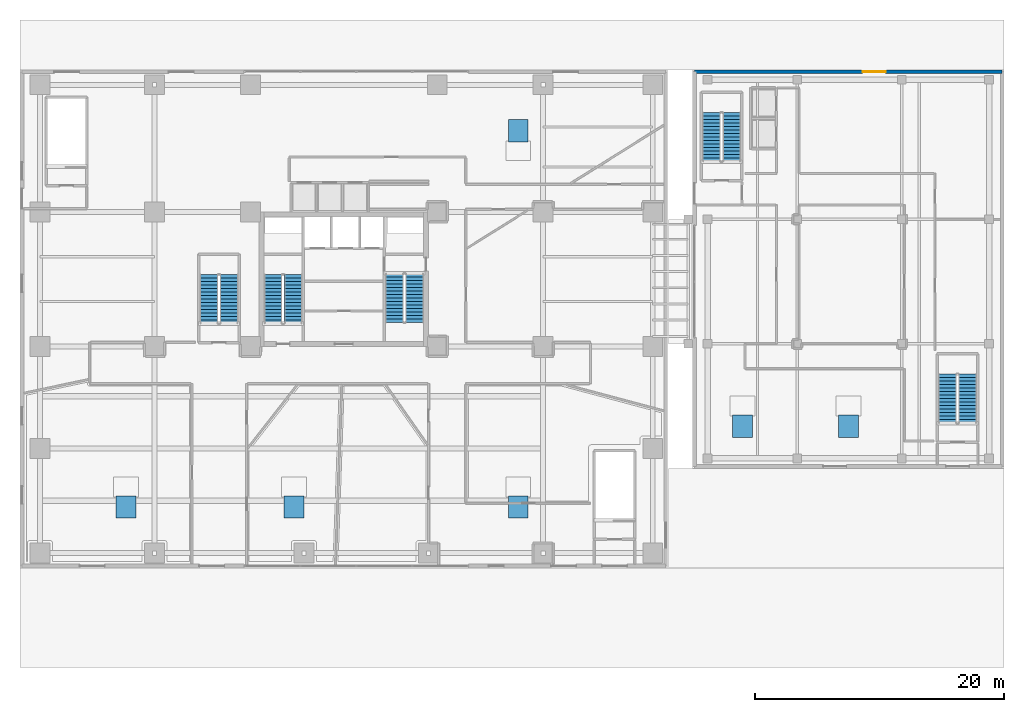
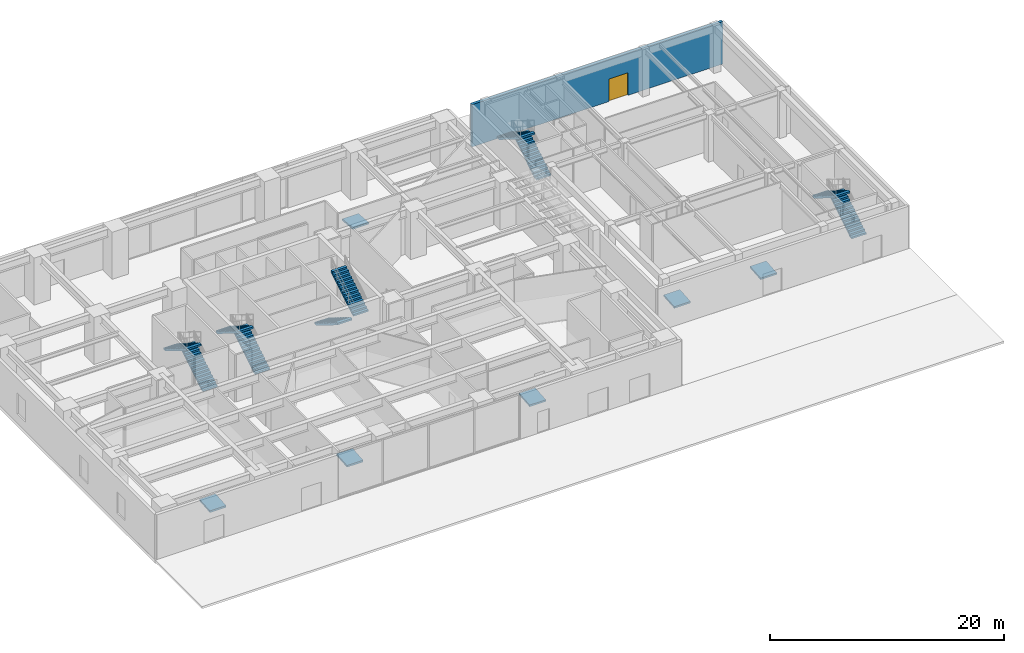
# One storey, part 23 of 28: 10 stair flights, 6 ramp flights, 1 door, 1 wall, 1 opening, 11 elements without a shape of their own.
"""IFC4 building model written with IfcOpenShell, lengths in metres."""

from ifc_helpers import new_model, si_unit, direction, frame, frame_2d, origin, place, context, subcontext, project, spatial, polyline, rectangle, outline, extrude, source, transform, mapped, material, layer, layer_set, type_object, type_shapes, element, fill, aggregate, save


model = new_model("IFC4")

# Units and contexts
model_context = context("Model", 3, precision=1e-05, world=origin(), true_north=direction((0.0, 1.0)))
body_context = subcontext(model_context, "Body", "Model", "MODEL_VIEW")
ifc_project = project(units=[si_unit("LENGTHUNIT", "METRE"), si_unit("AREAUNIT", "SQUARE_METRE"), si_unit("VOLUMEUNIT", "CUBIC_METRE"), si_unit("PLANEANGLEUNIT", "RADIAN"), si_unit("MASSUNIT", "GRAM", prefix="KILO")], contexts=[model_context])

# Site, building, storey
site_placement = place(None, origin())
site = spatial("IfcSite", under=ifc_project, at=site_placement, CompositionType="ELEMENT")
building_placement = place(site_placement, origin())
building = spatial("IfcBuilding", under=site, at=building_placement, Name="Talar Marvaseh", CompositionType="ELEMENT")
storey_placement = place(building_placement, origin())
storey = spatial("IfcBuildingStorey", under=building, at=storey_placement, Name="L00", CompositionType="ELEMENT", Elevation=0.0)

# Wall, opening, door
ifc_material_1 = material(Name="Precast concrete C45/55", Category="concrete")
ifc_layer_1 = layer(ifc_material_1, 0.2900390625)
ifc_layer_set_1 = layer_set([ifc_layer_1], Name="Precast concrete C45/55")
wall_type = type_object("IfcWallType", Name="Market Hall Precast Limestone Bazaar Wall 290", PredefinedType="SOLIDWALL", material=ifc_layer_set_1)
wall_placement = place(storey_placement, frame((54.14990234375, 47.85009765625, 0.0), z_axis=(0.0, 0.0, 1.0), x_axis=(1.0, 0.0, 0.0)))
wall = element("IfcWall", 1, at=wall_placement, inside=storey, type_object=wall_type, Name="L00 Market Hall North Promenade Wall", PredefinedType="SOLIDWALL", context=body_context, shape_type="SweptSolid", body=[
    extrude(rectangle(XDim=24.7001953125, YDim=0.2900390625, at=frame_2d((12.35009765625, 0.0))), origin(), (0.0, 0.0, 1.0), 4.39990234375),
])
opening_placement = place(wall_placement, frame((13.5, 0.0, 0.0)))
opening = element("IfcOpeningElement", 2, at=opening_placement, cuts=wall, Name="Opening DR-EXT18", PredefinedType="OPENING", context=body_context, shape_type="SweptSolid", body=[
    extrude(rectangle(XDim=1.85009765625, YDim=2.35009765625, at=frame_2d((0.925048828125, 1.175048828125))), frame((0.0, 0.155029296875, 0.0), z_axis=(0.0, -1.0, 0.0), x_axis=(1.0, 0.0, 0.0)), (0.0, 0.0, 1.0), 0.31005859375),
])
ifc_material_2 = material(Name="Architectural Aluminium", Category="aluminium")
door_type = type_object("IfcDoorType", Name="Market Plaza Double Bazaar Entrance Door 1850x2350", OperationType="NOTDEFINED", PredefinedType="DOOR", material=ifc_material_2)
shared_shape = source(origin(), body_context, "Body", "SweptSolid", [
    extrude(rectangle(XDim=1.85009765625, YDim=2.35009765625, at=frame_2d((0.925048828125, 1.175048828125))), frame((0.0, 0.02490234375, 0.0), z_axis=(0.0, -1.0, 0.0), x_axis=(1.0, 0.0, 0.0)), (0.0, 0.0, 1.0), 0.050048828125),
])
type_shapes(door_type, [shared_shape])
door_placement = place(opening_placement, origin())
door = element("IfcDoor", 3, at=door_placement, inside=storey, type_object=door_type, Name="L00 Market North Promenade Entrance", OperationType="DOUBLE_DOOR_SINGLE_SWING", OverallHeight=2.35009765625, OverallWidth=1.85009765625, PredefinedType="DOOR", context=body_context, shape_type="MappedRepresentation", body=[
    mapped(shared_shape, transform((0.0, 0.0, 0.0), x_axis=(1.0, 0.0, 0.0), y_axis=(0.0, 1.0, 0.0), z_axis=(0.0, 0.0, 1.0), scale=1.0)),
])
fill(opening, door)

# Stair, stair flights
ifc_material_3 = material(Name="Concrete C40/50", Category="concrete")
stair_type = type_object("IfcStairType", Name="Reinforced Concrete Half-Turn Exit Stair Type A", PredefinedType="HALF_TURN_STAIR", material=ifc_material_3)
stair_1_placement = place(storey_placement, origin())
stair_1 = element("IfcStair", 4, at=stair_1_placement, inside=storey, type_object=stair_type, Name="L00 Tower West Core Exit Stair", PredefinedType="HALF_TURN_STAIR")
ifc_layer_2 = layer(ifc_material_3, 0.18505859375)
ifc_layer_set_2 = layer_set([ifc_layer_2], Name="Concrete C40/50")
stair_flight_type = type_object("IfcStairFlightType", Name="Reinforced Concrete Heavy Podium Stair Flight 185", PredefinedType="STRAIGHT", material=ifc_layer_set_2)
stair_flight_1_placement = place(storey_placement, frame((21.93505859375, 27.64990234375, 0.0), z_axis=(0.0, 0.0, 1.0), x_axis=(0.0, 1.0, 0.0)))
stair_flight_1 = element("IfcStairFlight", 5, at=stair_flight_1_placement, type_object=stair_flight_type, Name="ST-1 flight 1", NumberOfRisers=15, NumberOfTreads=14, PredefinedType="STRAIGHT", RiserHeight=0.173333333, TreadLength=0.28, context=body_context, shape_type="SweptSolid", body=[
    extrude(outline(polyline([(0.0, 0.0), (0.0, 0.17333984375), (0.280029296875, 0.17333984375), (0.280029296875, 0.3466796875), (0.56005859375, 0.3466796875), (0.56005859375, 0.52001953125), (0.840087890625, 0.52001953125), (0.840087890625, 0.693359375), (1.1201171875, 0.693359375), (1.1201171875, 0.86669921875), (1.39990234375, 0.86669921875), (1.39990234375, 1.0400390625), (1.679931640625, 1.0400390625), (1.679931640625, 1.21337890625), (1.9599609375, 1.21337890625), (1.9599609375, 1.38671875), (2.239990234375, 1.38671875), (2.239990234375, 1.56005859375), (2.52001953125, 1.56005859375), (2.52001953125, 1.7333984375), (2.800048828125, 1.7333984375), (2.800048828125, 1.90673828125), (3.080078125, 1.90673828125), (3.080078125, 2.080078125), (3.360107421875, 2.080078125), (3.360107421875, 2.25341796875), (3.639892578125, 2.25341796875), (3.639892578125, 2.4267578125), (3.919921875, 2.4267578125), (3.919921875, 2.60009765625), (3.919921875, 2.238525390625), (0.3037109375, 0.0), (0.0, 0.0)])), frame((0.0, 0.72509765625, 0.0), z_axis=(0.0, -1.0, 0.0), x_axis=(1.0, 0.0, 0.0)), (0.0, 0.0, 1.0), 1.449951171875),
])
stair_flight_2_placement = place(storey_placement, frame((20.324951171875, 31.570068359375, 2.60009765625), z_axis=(0.0, 0.0, 1.0), x_axis=(0.0, -1.0, 0.0)))
stair_flight_2 = element("IfcStairFlight", 6, at=stair_flight_2_placement, type_object=stair_flight_type, Name="ST-1 flight 2", NumberOfRisers=15, NumberOfTreads=14, PredefinedType="STRAIGHT", RiserHeight=0.173333333, TreadLength=0.28, context=body_context, shape_type="SweptSolid", body=[
    extrude(outline(polyline([(0.0, 0.0), (0.0, 0.17333984375), (0.280029296875, 0.17333984375), (0.280029296875, 0.3466796875), (0.56005859375, 0.3466796875), (0.56005859375, 0.52001953125), (0.840087890625, 0.52001953125), (0.840087890625, 0.693359375), (1.1201171875, 0.693359375), (1.1201171875, 0.86669921875), (1.39990234375, 0.86669921875), (1.39990234375, 1.0400390625), (1.679931640625, 1.0400390625), (1.679931640625, 1.21337890625), (1.9599609375, 1.21337890625), (1.9599609375, 1.38671875), (2.239990234375, 1.38671875), (2.239990234375, 1.56005859375), (2.52001953125, 1.56005859375), (2.52001953125, 1.7333984375), (2.800048828125, 1.7333984375), (2.800048828125, 1.90673828125), (3.080078125, 1.90673828125), (3.080078125, 2.080078125), (3.360107421875, 2.080078125), (3.360107421875, 2.25341796875), (3.639892578125, 2.25341796875), (3.639892578125, 2.4267578125), (3.919921875, 2.4267578125), (3.919921875, 2.60009765625), (3.919921875, 2.238525390625), (0.3037109375, 0.0), (0.0, 0.0)])), frame((0.0, 0.72509765625, 0.0), z_axis=(0.0, -1.0, 0.0), x_axis=(1.0, 0.0, 0.0)), (0.0, 0.0, 1.0), 1.449951171875),
])
aggregate(stair_1, [stair_flight_1, stair_flight_2])

stair_2_placement = place(storey_placement, origin())
stair_2 = element("IfcStair", 7, at=stair_2_placement, inside=storey, type_object=stair_type, Name="L00 Tower East Core Exit Stair", PredefinedType="HALF_TURN_STAIR")
stair_flight_3_placement = place(storey_placement, frame((30.06494140625, 31.64990234375, 0.0), z_axis=(0.0, 0.0, 1.0), x_axis=(0.0, -1.0, 0.0)))
stair_flight_3 = element("IfcStairFlight", 8, at=stair_flight_3_placement, type_object=stair_flight_type, Name="ST-2 flight 1", NumberOfRisers=15, NumberOfTreads=14, PredefinedType="STRAIGHT", RiserHeight=0.173333333, TreadLength=0.28, context=body_context, shape_type="SweptSolid", body=[
    extrude(outline(polyline([(0.0, 0.0), (0.0, 0.17333984375), (0.280029296875, 0.17333984375), (0.280029296875, 0.3466796875), (0.56005859375, 0.3466796875), (0.56005859375, 0.52001953125), (0.840087890625, 0.52001953125), (0.840087890625, 0.693359375), (1.1201171875, 0.693359375), (1.1201171875, 0.86669921875), (1.39990234375, 0.86669921875), (1.39990234375, 1.0400390625), (1.679931640625, 1.0400390625), (1.679931640625, 1.21337890625), (1.9599609375, 1.21337890625), (1.9599609375, 1.38671875), (2.239990234375, 1.38671875), (2.239990234375, 1.56005859375), (2.52001953125, 1.56005859375), (2.52001953125, 1.7333984375), (2.800048828125, 1.7333984375), (2.800048828125, 1.90673828125), (3.080078125, 1.90673828125), (3.080078125, 2.080078125), (3.360107421875, 2.080078125), (3.360107421875, 2.25341796875), (3.639892578125, 2.25341796875), (3.639892578125, 2.4267578125), (3.919921875, 2.4267578125), (3.919921875, 2.60009765625), (3.919921875, 2.238525390625), (0.3037109375, 0.0), (0.0, 0.0)])), frame((0.0, 0.72509765625, 0.0), z_axis=(0.0, -1.0, 0.0), x_axis=(1.0, 0.0, 0.0)), (0.0, 0.0, 1.0), 1.449951171875),
])
stair_flight_4_placement = place(storey_placement, frame((31.675048828125, 27.72998046875, 2.60009765625), z_axis=(0.0, 0.0, 1.0), x_axis=(0.0, 1.0, 0.0)))
stair_flight_4 = element("IfcStairFlight", 9, at=stair_flight_4_placement, type_object=stair_flight_type, Name="ST-2 flight 2", NumberOfRisers=15, NumberOfTreads=14, PredefinedType="STRAIGHT", RiserHeight=0.173333333, TreadLength=0.28, context=body_context, shape_type="SweptSolid", body=[
    extrude(outline(polyline([(0.0, 0.0), (0.0, 0.17333984375), (0.280029296875, 0.17333984375), (0.280029296875, 0.3466796875), (0.56005859375, 0.3466796875), (0.56005859375, 0.52001953125), (0.840087890625, 0.52001953125), (0.840087890625, 0.693359375), (1.1201171875, 0.693359375), (1.1201171875, 0.86669921875), (1.39990234375, 0.86669921875), (1.39990234375, 1.0400390625), (1.679931640625, 1.0400390625), (1.679931640625, 1.21337890625), (1.9599609375, 1.21337890625), (1.9599609375, 1.38671875), (2.239990234375, 1.38671875), (2.239990234375, 1.56005859375), (2.52001953125, 1.56005859375), (2.52001953125, 1.7333984375), (2.800048828125, 1.7333984375), (2.800048828125, 1.90673828125), (3.080078125, 1.90673828125), (3.080078125, 2.080078125), (3.360107421875, 2.080078125), (3.360107421875, 2.25341796875), (3.639892578125, 2.25341796875), (3.639892578125, 2.4267578125), (3.919921875, 2.4267578125), (3.919921875, 2.60009765625), (3.919921875, 2.238525390625), (0.3037109375, 0.0), (0.0, 0.0)])), frame((0.0, 0.72509765625, 0.0), z_axis=(0.0, -1.0, 0.0), x_axis=(1.0, 0.0, 0.0)), (0.0, 0.0, 1.0), 1.449951171875),
])
aggregate(stair_2, [stair_flight_3, stair_flight_4])

stair_3_placement = place(storey_placement, origin())
stair_3 = element("IfcStair", 10, at=stair_3_placement, inside=storey, type_object=stair_type, Name="L00 Museum & Podium Auxiliary Exit Stair", PredefinedType="HALF_TURN_STAIR")
stair_flight_5_placement = place(storey_placement, frame((16.77490234375, 27.64990234375, 0.0), z_axis=(0.0, 0.0, 1.0), x_axis=(0.0, 1.0, 0.0)))
stair_flight_5 = element("IfcStairFlight", 11, at=stair_flight_5_placement, type_object=stair_flight_type, Name="ST-3 flight 1", NumberOfRisers=15, NumberOfTreads=14, PredefinedType="STRAIGHT", RiserHeight=0.173333333, TreadLength=0.28, context=body_context, shape_type="SweptSolid", body=[
    extrude(outline(polyline([(0.0, 0.0), (0.0, 0.17333984375), (0.280029296875, 0.17333984375), (0.280029296875, 0.3466796875), (0.56005859375, 0.3466796875), (0.56005859375, 0.52001953125), (0.840087890625, 0.52001953125), (0.840087890625, 0.693359375), (1.1201171875, 0.693359375), (1.1201171875, 0.86669921875), (1.39990234375, 0.86669921875), (1.39990234375, 1.0400390625), (1.679931640625, 1.0400390625), (1.679931640625, 1.21337890625), (1.9599609375, 1.21337890625), (1.9599609375, 1.38671875), (2.239990234375, 1.38671875), (2.239990234375, 1.56005859375), (2.52001953125, 1.56005859375), (2.52001953125, 1.7333984375), (2.800048828125, 1.7333984375), (2.800048828125, 1.90673828125), (3.080078125, 1.90673828125), (3.080078125, 2.080078125), (3.360107421875, 2.080078125), (3.360107421875, 2.25341796875), (3.639892578125, 2.25341796875), (3.639892578125, 2.4267578125), (3.919921875, 2.4267578125), (3.919921875, 2.60009765625), (3.919921875, 2.238525390625), (0.3037109375, 0.0), (0.0, 0.0)])), frame((0.0, 0.72509765625, 0.0), z_axis=(0.0, -1.0, 0.0), x_axis=(1.0, 0.0, 0.0)), (0.0, 0.0, 1.0), 1.449951171875),
])
stair_flight_6_placement = place(storey_placement, frame((15.1650390625, 31.570068359375, 2.60009765625), z_axis=(0.0, 0.0, 1.0), x_axis=(0.0, -1.0, 0.0)))
stair_flight_6 = element("IfcStairFlight", 12, at=stair_flight_6_placement, type_object=stair_flight_type, Name="ST-3 flight 2", NumberOfRisers=15, NumberOfTreads=14, PredefinedType="STRAIGHT", RiserHeight=0.173333333, TreadLength=0.28, context=body_context, shape_type="SweptSolid", body=[
    extrude(outline(polyline([(0.0, 0.0), (0.0, 0.17333984375), (0.280029296875, 0.17333984375), (0.280029296875, 0.3466796875), (0.56005859375, 0.3466796875), (0.56005859375, 0.52001953125), (0.840087890625, 0.52001953125), (0.840087890625, 0.693359375), (1.1201171875, 0.693359375), (1.1201171875, 0.86669921875), (1.39990234375, 0.86669921875), (1.39990234375, 1.0400390625), (1.679931640625, 1.0400390625), (1.679931640625, 1.21337890625), (1.9599609375, 1.21337890625), (1.9599609375, 1.38671875), (2.239990234375, 1.38671875), (2.239990234375, 1.56005859375), (2.52001953125, 1.56005859375), (2.52001953125, 1.7333984375), (2.800048828125, 1.7333984375), (2.800048828125, 1.90673828125), (3.080078125, 1.90673828125), (3.080078125, 2.080078125), (3.360107421875, 2.080078125), (3.360107421875, 2.25341796875), (3.639892578125, 2.25341796875), (3.639892578125, 2.4267578125), (3.919921875, 2.4267578125), (3.919921875, 2.60009765625), (3.919921875, 2.238525390625), (0.3037109375, 0.0), (0.0, 0.0)])), frame((0.0, 0.72509765625, 0.0), z_axis=(0.0, -1.0, 0.0), x_axis=(1.0, 0.0, 0.0)), (0.0, 0.0, 1.0), 1.449951171875),
])
aggregate(stair_3, [stair_flight_5, stair_flight_6])

stair_4_placement = place(storey_placement, origin())
stair_4 = element("IfcStair", 13, at=stair_4_placement, inside=storey, type_object=stair_type, Name="L00 Market Hall North-West Exit Stair", PredefinedType="HALF_TURN_STAIR")
stair_flight_7_placement = place(storey_placement, frame((57.135009765625, 40.64990234375, 0.0), z_axis=(0.0, 0.0, 1.0), x_axis=(0.0, 1.0, 0.0)))
stair_flight_7 = element("IfcStairFlight", 14, at=stair_flight_7_placement, type_object=stair_flight_type, Name="MH-ST1 flight 1", NumberOfRisers=15, NumberOfTreads=14, PredefinedType="STRAIGHT", RiserHeight=0.173333333, TreadLength=0.28, context=body_context, shape_type="SweptSolid", body=[
    extrude(outline(polyline([(0.0, 0.0), (0.0, 0.17333984375), (0.280029296875, 0.17333984375), (0.280029296875, 0.3466796875), (0.56005859375, 0.3466796875), (0.56005859375, 0.52001953125), (0.840087890625, 0.52001953125), (0.840087890625, 0.693359375), (1.1201171875, 0.693359375), (1.1201171875, 0.86669921875), (1.39990234375, 0.86669921875), (1.39990234375, 1.0400390625), (1.679931640625, 1.0400390625), (1.679931640625, 1.21337890625), (1.9599609375, 1.21337890625), (1.9599609375, 1.38671875), (2.239990234375, 1.38671875), (2.239990234375, 1.56005859375), (2.52001953125, 1.56005859375), (2.52001953125, 1.7333984375), (2.800048828125, 1.7333984375), (2.800048828125, 1.90673828125), (3.080078125, 1.90673828125), (3.080078125, 2.080078125), (3.360107421875, 2.080078125), (3.360107421875, 2.25341796875), (3.639892578125, 2.25341796875), (3.639892578125, 2.4267578125), (3.919921875, 2.4267578125), (3.919921875, 2.60009765625), (3.919921875, 2.238525390625), (0.3037109375, 0.0), (0.0, 0.0)])), frame((0.0, 0.72509765625, 0.0), z_axis=(0.0, -1.0, 0.0), x_axis=(1.0, 0.0, 0.0)), (0.0, 0.0, 1.0), 1.449951171875),
])
stair_flight_8_placement = place(storey_placement, frame((55.52490234375, 44.570068359375, 2.60009765625), z_axis=(0.0, 0.0, 1.0), x_axis=(0.0, -1.0, 0.0)))
stair_flight_8 = element("IfcStairFlight", 15, at=stair_flight_8_placement, type_object=stair_flight_type, Name="MH-ST1 flight 2", NumberOfRisers=15, NumberOfTreads=14, PredefinedType="STRAIGHT", RiserHeight=0.173333333, TreadLength=0.28, context=body_context, shape_type="SweptSolid", body=[
    extrude(outline(polyline([(0.0, 0.0), (0.0, 0.17333984375), (0.280029296875, 0.17333984375), (0.280029296875, 0.3466796875), (0.56005859375, 0.3466796875), (0.56005859375, 0.52001953125), (0.840087890625, 0.52001953125), (0.840087890625, 0.693359375), (1.1201171875, 0.693359375), (1.1201171875, 0.86669921875), (1.39990234375, 0.86669921875), (1.39990234375, 1.0400390625), (1.679931640625, 1.0400390625), (1.679931640625, 1.21337890625), (1.9599609375, 1.21337890625), (1.9599609375, 1.38671875), (2.239990234375, 1.38671875), (2.239990234375, 1.56005859375), (2.52001953125, 1.56005859375), (2.52001953125, 1.7333984375), (2.800048828125, 1.7333984375), (2.800048828125, 1.90673828125), (3.080078125, 1.90673828125), (3.080078125, 2.080078125), (3.360107421875, 2.080078125), (3.360107421875, 2.25341796875), (3.639892578125, 2.25341796875), (3.639892578125, 2.4267578125), (3.919921875, 2.4267578125), (3.919921875, 2.60009765625), (3.919921875, 2.238525390625), (0.3037109375, 0.0), (0.0, 0.0)])), frame((0.0, 0.72509765625, 0.0), z_axis=(0.0, -1.0, 0.0), x_axis=(1.0, 0.0, 0.0)), (0.0, 0.0, 1.0), 1.449951171875),
])
aggregate(stair_4, [stair_flight_7, stair_flight_8])

stair_5_placement = place(storey_placement, origin())
stair_5 = element("IfcStair", 16, at=stair_5_placement, inside=storey, type_object=stair_type, Name="L00 Market Hall South-East Exit Stair", PredefinedType="HALF_TURN_STAIR")
stair_flight_9_placement = place(storey_placement, frame((76.074951171875, 19.64990234375, 0.0), z_axis=(0.0, 0.0, 1.0), x_axis=(0.0, 1.0, 0.0)))
stair_flight_9 = element("IfcStairFlight", 17, at=stair_flight_9_placement, type_object=stair_flight_type, Name="MH-ST2 flight 1", NumberOfRisers=15, NumberOfTreads=14, PredefinedType="STRAIGHT", RiserHeight=0.173333333, TreadLength=0.28, context=body_context, shape_type="SweptSolid", body=[
    extrude(outline(polyline([(0.0, 0.0), (0.0, 0.17333984375), (0.280029296875, 0.17333984375), (0.280029296875, 0.3466796875), (0.56005859375, 0.3466796875), (0.56005859375, 0.52001953125), (0.840087890625, 0.52001953125), (0.840087890625, 0.693359375), (1.1201171875, 0.693359375), (1.1201171875, 0.86669921875), (1.39990234375, 0.86669921875), (1.39990234375, 1.0400390625), (1.679931640625, 1.0400390625), (1.679931640625, 1.21337890625), (1.9599609375, 1.21337890625), (1.9599609375, 1.38671875), (2.239990234375, 1.38671875), (2.239990234375, 1.56005859375), (2.52001953125, 1.56005859375), (2.52001953125, 1.7333984375), (2.800048828125, 1.7333984375), (2.800048828125, 1.90673828125), (3.080078125, 1.90673828125), (3.080078125, 2.080078125), (3.360107421875, 2.080078125), (3.360107421875, 2.25341796875), (3.639892578125, 2.25341796875), (3.639892578125, 2.4267578125), (3.919921875, 2.4267578125), (3.919921875, 2.60009765625), (3.919921875, 2.238525390625), (0.3037109375, 0.0), (0.0, 0.0)])), frame((0.0, 0.72509765625, 0.0), z_axis=(0.0, -1.0, 0.0), x_axis=(1.0, 0.0, 0.0)), (0.0, 0.0, 1.0), 1.449951171875),
])
stair_flight_10_placement = place(storey_placement, frame((74.465087890625, 23.570068359375, 2.60009765625), z_axis=(0.0, 0.0, 1.0), x_axis=(0.0, -1.0, 0.0)))
stair_flight_10 = element("IfcStairFlight", 18, at=stair_flight_10_placement, type_object=stair_flight_type, Name="MH-ST2 flight 2", NumberOfRisers=15, NumberOfTreads=14, PredefinedType="STRAIGHT", RiserHeight=0.173333333, TreadLength=0.28, context=body_context, shape_type="SweptSolid", body=[
    extrude(outline(polyline([(0.0, 0.0), (0.0, 0.17333984375), (0.280029296875, 0.17333984375), (0.280029296875, 0.3466796875), (0.56005859375, 0.3466796875), (0.56005859375, 0.52001953125), (0.840087890625, 0.52001953125), (0.840087890625, 0.693359375), (1.1201171875, 0.693359375), (1.1201171875, 0.86669921875), (1.39990234375, 0.86669921875), (1.39990234375, 1.0400390625), (1.679931640625, 1.0400390625), (1.679931640625, 1.21337890625), (1.9599609375, 1.21337890625), (1.9599609375, 1.38671875), (2.239990234375, 1.38671875), (2.239990234375, 1.56005859375), (2.52001953125, 1.56005859375), (2.52001953125, 1.7333984375), (2.800048828125, 1.7333984375), (2.800048828125, 1.90673828125), (3.080078125, 1.90673828125), (3.080078125, 2.080078125), (3.360107421875, 2.080078125), (3.360107421875, 2.25341796875), (3.639892578125, 2.25341796875), (3.639892578125, 2.4267578125), (3.919921875, 2.4267578125), (3.919921875, 2.60009765625), (3.919921875, 2.238525390625), (0.3037109375, 0.0), (0.0, 0.0)])), frame((0.0, 0.72509765625, 0.0), z_axis=(0.0, -1.0, 0.0), x_axis=(1.0, 0.0, 0.0)), (0.0, 0.0, 1.0), 1.449951171875),
])
aggregate(stair_5, [stair_flight_9, stair_flight_10])

# Ramp, ramp flight
ramp_type = type_object("IfcRampType", Name="Accessible Step-Free Interior Concierge Ramp", PredefinedType="STRAIGHT_RUN_RAMP", material=ifc_material_3)
ramp_1_placement = place(storey_placement, origin())
ramp_1 = element("IfcRamp", 19, at=ramp_1_placement, inside=storey, type_object=ramp_type, Name="L00 West Gallery Threshold Accessible Ramp", PredefinedType="STRAIGHT_RUN_RAMP")
ifc_layer_3 = layer(ifc_material_3, 0.179931640625)
ifc_layer_set_3 = layer_set([ifc_layer_3], Name="Concrete C40/50")
ramp_flight_type = type_object("IfcRampFlightType", Name="Accessible Step-Free Interior Ramp Flight", PredefinedType="STRAIGHT", material=ifc_layer_set_3)
ramp_flight_1_placement = place(storey_placement, frame((8.5, 12.0, 0.0), z_axis=(0.0, 0.0, 1.0), x_axis=(0.0, 1.0, 0.0)))
ramp_flight_1 = element("IfcRampFlight", 20, at=ramp_flight_1_placement, type_object=ramp_flight_type, Name="L00 West Gallery Threshold Accessible Ramp Flight", PredefinedType="STRAIGHT", context=body_context, shape_type="SweptSolid", body=[
    extrude(outline(polyline([(0.0, 0.0), (0.0, -0.179931640625), (1.800048828125, -0.030029296875), (1.800048828125, 0.14990234375), (0.0, 0.0)])), frame((0.0, 0.800048828125, 0.0), z_axis=(0.0, -1.0, 0.0), x_axis=(1.0, 0.0, 0.0)), (0.0, 0.0, 1.0), 1.60009765625),
])
aggregate(ramp_1, [ramp_flight_1])

ramp_2_placement = place(storey_placement, origin())
ramp_2 = element("IfcRamp", 21, at=ramp_2_placement, inside=storey, type_object=ramp_type, Name="L00 South Foyer Threshold Accessible Ramp", PredefinedType="STRAIGHT_RUN_RAMP")
ramp_flight_2_placement = place(storey_placement, frame((22.0, 12.0, 0.0), z_axis=(0.0, 0.0, 1.0), x_axis=(0.0, 1.0, 0.0)))
ramp_flight_2 = element("IfcRampFlight", 22, at=ramp_flight_2_placement, type_object=ramp_flight_type, Name="L00 South Foyer Threshold Accessible Ramp Flight", PredefinedType="STRAIGHT", context=body_context, shape_type="SweptSolid", body=[
    extrude(outline(polyline([(0.0, 0.0), (0.0, -0.179931640625), (1.800048828125, -0.030029296875), (1.800048828125, 0.14990234375), (0.0, 0.0)])), frame((0.0, 0.800048828125, 0.0), z_axis=(0.0, -1.0, 0.0), x_axis=(1.0, 0.0, 0.0)), (0.0, 0.0, 1.0), 1.60009765625),
])
aggregate(ramp_2, [ramp_flight_2])

ramp_3_placement = place(storey_placement, origin())
ramp_3 = element("IfcRamp", 23, at=ramp_3_placement, inside=storey, type_object=ramp_type, Name="L00 East Concourse Threshold Accessible Ramp", PredefinedType="STRAIGHT_RUN_RAMP")
ramp_flight_3_placement = place(storey_placement, frame((40.0, 12.0, 0.0), z_axis=(0.0, 0.0, 1.0), x_axis=(0.0, 1.0, 0.0)))
ramp_flight_3 = element("IfcRampFlight", 24, at=ramp_flight_3_placement, type_object=ramp_flight_type, Name="L00 East Concourse Threshold Accessible Ramp Flight", PredefinedType="STRAIGHT", context=body_context, shape_type="SweptSolid", body=[
    extrude(outline(polyline([(0.0, 0.0), (0.0, -0.179931640625), (1.800048828125, -0.030029296875), (1.800048828125, 0.14990234375), (0.0, 0.0)])), frame((0.0, 0.800048828125, 0.0), z_axis=(0.0, -1.0, 0.0), x_axis=(1.0, 0.0, 0.0)), (0.0, 0.0, 1.0), 1.60009765625),
])
aggregate(ramp_3, [ramp_flight_3])

ramp_4_placement = place(storey_placement, origin())
ramp_4 = element("IfcRamp", 25, at=ramp_4_placement, inside=storey, type_object=ramp_type, Name="L00 Market South-West Threshold Accessible Ramp", PredefinedType="STRAIGHT_RUN_RAMP")
ramp_flight_4_placement = place(storey_placement, frame((58.0, 18.5, 0.0), z_axis=(0.0, 0.0, 1.0), x_axis=(0.0, 1.0, 0.0)))
ramp_flight_4 = element("IfcRampFlight", 26, at=ramp_flight_4_placement, type_object=ramp_flight_type, Name="L00 Market South-West Threshold Accessible Ramp Flight", PredefinedType="STRAIGHT", context=body_context, shape_type="SweptSolid", body=[
    extrude(outline(polyline([(0.0, 0.0), (0.0, -0.179931640625), (1.800048828125, -0.030029296875), (1.800048828125, 0.14990234375), (0.0, 0.0)])), frame((0.0, 0.800048828125, 0.0), z_axis=(0.0, -1.0, 0.0), x_axis=(1.0, 0.0, 0.0)), (0.0, 0.0, 1.0), 1.60009765625),
])
aggregate(ramp_4, [ramp_flight_4])

ramp_5_placement = place(storey_placement, origin())
ramp_5 = element("IfcRamp", 27, at=ramp_5_placement, inside=storey, type_object=ramp_type, Name="L00 Market Central Threshold Accessible Ramp", PredefinedType="STRAIGHT_RUN_RAMP")
ramp_flight_5_placement = place(storey_placement, frame((66.5, 18.5, 0.0), z_axis=(0.0, 0.0, 1.0), x_axis=(0.0, 1.0, 0.0)))
ramp_flight_5 = element("IfcRampFlight", 28, at=ramp_flight_5_placement, type_object=ramp_flight_type, Name="L00 Market Central Threshold Accessible Ramp Flight", PredefinedType="STRAIGHT", context=body_context, shape_type="SweptSolid", body=[
    extrude(outline(polyline([(0.0, 0.0), (0.0, -0.179931640625), (1.800048828125, -0.030029296875), (1.800048828125, 0.14990234375), (0.0, 0.0)])), frame((0.0, 0.800048828125, 0.0), z_axis=(0.0, -1.0, 0.0), x_axis=(1.0, 0.0, 0.0)), (0.0, 0.0, 1.0), 1.60009765625),
])
aggregate(ramp_5, [ramp_flight_5])

ramp_6_placement = place(storey_placement, origin())
ramp_6 = element("IfcRamp", 29, at=ramp_6_placement, inside=storey, type_object=ramp_type, Name="L00 North Gallery Threshold Accessible Ramp", PredefinedType="STRAIGHT_RUN_RAMP")
ramp_flight_6_placement = place(storey_placement, frame((40.0, 44.0, 0.0), z_axis=(0.0, 0.0, 1.0), x_axis=(0.0, -1.0, 0.0)))
ramp_flight_6 = element("IfcRampFlight", 30, at=ramp_flight_6_placement, type_object=ramp_flight_type, Name="L00 North Gallery Threshold Accessible Ramp Flight", PredefinedType="STRAIGHT", context=body_context, shape_type="SweptSolid", body=[
    extrude(outline(polyline([(0.0, 0.0), (0.0, -0.179931640625), (1.800048828125, -0.030029296875), (1.800048828125, 0.14990234375), (0.0, 0.0)])), frame((0.0, 0.800048828125, 0.0), z_axis=(0.0, -1.0, 0.0), x_axis=(1.0, 0.0, 0.0)), (0.0, 0.0, 1.0), 1.60009765625),
])
aggregate(ramp_6, [ramp_flight_6])

save(model, "model.ifc")
